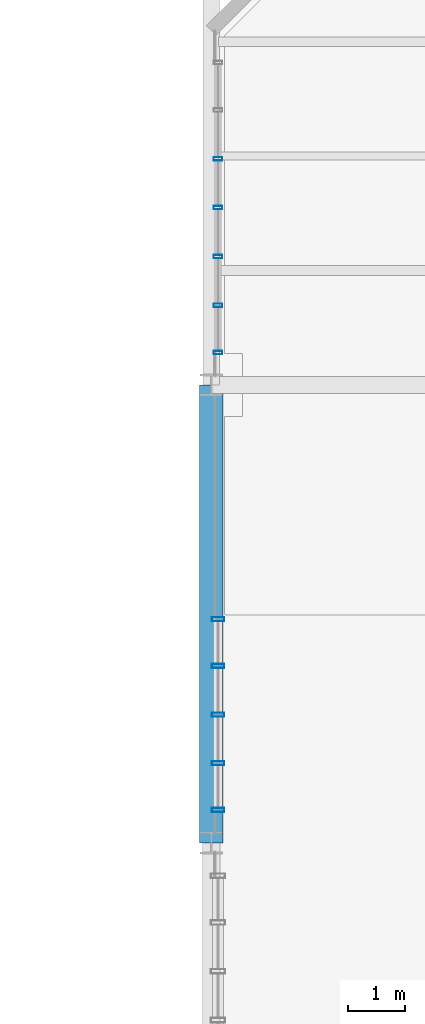
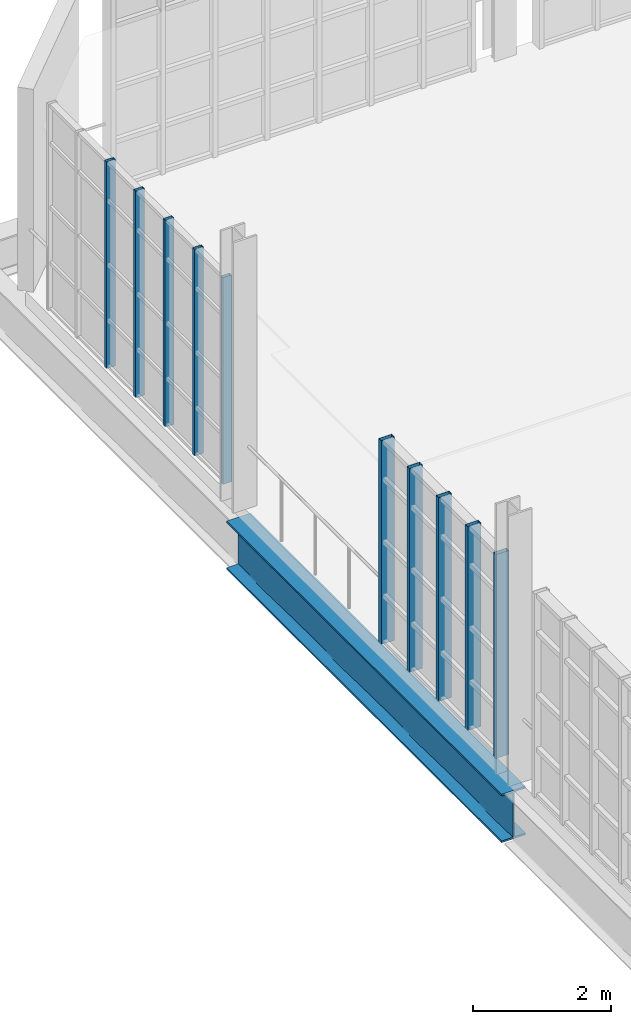
# One storey, part 46 of 85: 10 members, 1 beam, 2 elements without a shape of their own.
"""IFC4 building model written with IfcOpenShell, lengths in metres."""

import ifcopenshell
import ifcopenshell.guid

model = None  # the IFC model being written
_history = None  # IfcOwnerHistory: only IFC2X3 demands one
_inside = {}  # id of a spatial element -> (the spatial element, [elements in it])
_under = {}  # id of a project, library or spatial element -> (it, [spatial elements below it])
_declared = {}  # id of a project -> (the project, [libraries it declares])
_typed = {}  # id of a type object -> (the type object, [elements of that type])
_made_of = {}  # id of a material, layer set ... -> (it, [elements and type objects made of it])


def new_model(schema):
    """Start an empty IFC model of exactly this schema.

    Asked for "IFC4X3", IfcOpenShell would pick the latest addendum, in which some entities
    have other attributes; the version numbers below select the first issue.
    IFC2X3 requires an IfcOwnerHistory on every rooted entity: one is made here for all.
    """
    global model, _history
    if schema == "IFC4X3":
        model = ifcopenshell.file(schema_version=(4, 3, 0, 0))
    else:
        model = ifcopenshell.file(schema=schema)
    _inside.clear()
    _under.clear()
    _declared.clear()
    _typed.clear()
    _made_of.clear()
    _history = None
    if model.schema == "IFC2X3":
        org = make("IfcOrganization", Name="unknown")
        user = make(
            "IfcPersonAndOrganization",
            ThePerson=make("IfcPerson", FamilyName="unknown"),
            TheOrganization=org,
        )
        app = make(
            "IfcApplication",
            ApplicationDeveloper=org,
            Version="unknown",
            ApplicationFullName="unknown",
            ApplicationIdentifier="unknown",
        )
        _history = make(
            "IfcOwnerHistory",
            OwningUser=user,
            OwningApplication=app,
            ChangeAction="ADDED",
            CreationDate=0,
        )
    return model


def make(cls, **values):
    """One entity of the class cls with the attributes given. An attribute that is None is left unset."""
    return model.create_entity(
        cls, **{name: value for name, value in values.items() if value is not None}
    )


def rooted(cls, **values):
    """An entity with a GlobalId (a new one), such as an element, a storey or a relation."""
    return make(cls, GlobalId=ifcopenshell.guid.new(), OwnerHistory=_history, **values)


def si_unit(unit_type, name, prefix=None):
    """IfcSIUnit, for example si_unit("LENGTHUNIT", "METRE", prefix="MILLI")."""
    return make("IfcSIUnit", UnitType=unit_type, Prefix=prefix, Name=name)


def assignment(units):
    """IfcUnitAssignment: the units of a project."""
    return None if units is None else make("IfcUnitAssignment", Units=units)


def point(xyz):
    """IfcCartesianPoint."""
    return None if xyz is None else make("IfcCartesianPoint", Coordinates=xyz)


def direction(xyz):
    """IfcDirection."""
    return None if xyz is None else make("IfcDirection", DirectionRatios=xyz)


def frame(location, z_axis=None, x_axis=None):
    """IfcAxis2Placement3D, a coordinate frame: its origin and axes. An axis left out is left unset."""
    return make(
        "IfcAxis2Placement3D",
        Location=point(location),
        Axis=direction(z_axis),
        RefDirection=direction(x_axis),
    )


def frame_2d(location, x_axis=None):
    """IfcAxis2Placement2D, a coordinate frame in the plane: its origin and x axis."""
    return make(
        "IfcAxis2Placement2D", Location=point(location), RefDirection=direction(x_axis)
    )


def origin():
    """The frame at (0, 0, 0) with its axes left unset."""
    return frame((0.0, 0.0, 0.0))


def origin_2d():
    """The frame at (0, 0) in the plane with its x axis left unset."""
    return frame_2d((0.0, 0.0))


def place(relative_to, where):
    """IfcLocalPlacement: puts the frame where relative to a parent placement (None: the world)."""
    return make(
        "IfcLocalPlacement", PlacementRelTo=relative_to, RelativePlacement=where
    )


def context(
    kind, dimensions, precision=None, world=None, true_north=None, identifier=None
):
    """IfcGeometricRepresentationContext, for example the 3D "Model" context."""
    return make(
        "IfcGeometricRepresentationContext",
        ContextIdentifier=identifier,
        ContextType=kind,
        CoordinateSpaceDimension=dimensions,
        Precision=precision,
        WorldCoordinateSystem=world,
        TrueNorth=true_north,
    )


def subcontext(parent, identifier, kind, view, scale=None):
    """IfcGeometricRepresentationSubContext, for example "Body" below "Model"."""
    return make(
        "IfcGeometricRepresentationSubContext",
        ContextIdentifier=identifier,
        ContextType=kind,
        ParentContext=parent,
        TargetScale=scale,
        TargetView=view,
    )


def project(units=None, contexts=None):
    """IfcProject with its units and contexts."""
    return rooted(
        "IfcProject",
        Name="project",
        RepresentationContexts=contexts,
        UnitsInContext=assignment(units),
    )


def spatial(cls, under=None, at=None, **own):
    """A site, building, storey or space (cls), placed at a placement, below another one or the project."""
    s = rooted(cls, ObjectPlacement=at, **own)
    if under is not None:
        _under.setdefault(under.id(), (under, []))[1].append(s)
    return s


def profile(cls, at=None, kind="AREA", **sizes):
    """A parametric profile (cls). Its sizes go by their IFC names, for example OverallWidth=200.0."""
    return make(cls, ProfileType=kind, Position=at, **sizes)


def hollow_rectangle(**sizes):
    """IfcRectangleHollowProfileDef."""
    return profile("IfcRectangleHollowProfileDef", **sizes)


def i_section(**sizes):
    """IfcIShapeProfileDef."""
    return profile("IfcIShapeProfileDef", **sizes)


def extrude(swept, where, along, depth):
    """IfcExtrudedAreaSolid: the profile swept, set in the frame where, extruded along a direction by depth."""
    return make(
        "IfcExtrudedAreaSolid",
        SweptArea=swept,
        Position=where,
        ExtrudedDirection=direction(along),
        Depth=depth,
    )


def shape(context_of_items, identifier, shape_type, items):
    """IfcShapeRepresentation: the items that make up one representation, for example the "Body"."""
    return make(
        "IfcShapeRepresentation",
        ContextOfItems=context_of_items,
        RepresentationIdentifier=identifier,
        RepresentationType=shape_type,
        Items=items,
    )


def material(Name=None, Category=None):
    """IfcMaterial."""
    return make("IfcMaterial", Name=Name, Category=Category)


def layer(
    of_material, thickness, ventilated=None, Name=None, Category=None, Priority=None
):
    """IfcMaterialLayer: one layer of a wall or slab, of a material (None: an air gap)."""
    return make(
        "IfcMaterialLayer",
        Material=of_material,
        LayerThickness=thickness,
        IsVentilated=ventilated,
        Name=Name,
        Category=Category,
        Priority=Priority,
    )


def layer_set(layers, Name=None):
    """IfcMaterialLayerSet."""
    return make("IfcMaterialLayerSet", MaterialLayers=layers, LayerSetName=Name)


def material_profile(
    of_material, cross_section, Name=None, Category=None, Priority=None
):
    """IfcMaterialProfile: a cross section and its material."""
    return make(
        "IfcMaterialProfile",
        Name=Name,
        Material=of_material,
        Profile=cross_section,
        Priority=Priority,
        Category=Category,
    )


def profile_set(profiles, Name=None, composite=None):
    """IfcMaterialProfileSet."""
    return make(
        "IfcMaterialProfileSet",
        Name=Name,
        MaterialProfiles=profiles,
        CompositeProfile=composite,
    )


def made_of(thing, what):
    """Note that an element or type object is made of a material, layer set ...; save() writes the relation."""
    if what is not None:
        _made_of.setdefault(what.id(), (what, []))[1].append(thing)
    return thing


def type_object(cls, material=None, **own):
    """A type object (cls), such as IfcWallType, which elements share."""
    return made_of(rooted(cls, **own), material)


def element(
    cls,
    number,
    at=None,
    inside=None,
    cuts=None,
    type_object=None,
    material=None,
    context=None,
    identifier="Body",
    shape_type=None,
    held_by="IfcProductDefinitionShape",
    body=None,
    shapes=None,
    **own,
):
    """One element of the class cls, such as IfcWall. Its Tag is "e" and its number.

    at: its placement. inside: the storey or other place that contains it. cuts: it is an
    opening in that element (IfcRelVoidsElement). A single representation is given by context,
    identifier, shape_type and body (its items); several are given by shapes. held_by: the class
    of the entity that holds the representations. save() writes the other relations.
    """
    e = rooted(cls, Tag="e%d" % number, ObjectPlacement=at, **own)
    if body is not None:
        shapes = [shape(context, identifier, shape_type, body)]
    if shapes is not None:
        e.Representation = make(held_by, Representations=shapes)
    if inside is not None:
        _inside.setdefault(inside.id(), (inside, []))[1].append(e)
    if cuts is not None:
        rooted(
            "IfcRelVoidsElement", RelatingBuildingElement=cuts, RelatedOpeningElement=e
        )
    if type_object is not None:
        _typed.setdefault(type_object.id(), (type_object, []))[1].append(e)
    return made_of(e, material)


def aggregate(whole, parts):
    """IfcRelAggregates: a whole, such as a stair, and the parts it consists of."""
    return rooted("IfcRelAggregates", RelatingObject=whole, RelatedObjects=parts)


def save(model, path):
    """Write the relations noted so far, then the file.

    IfcRelAggregates (storeys below a building ...), IfcRelContainedInSpatialStructure (elements
    in a storey), IfcRelDefinesByType, IfcRelAssociatesMaterial and IfcRelDeclares: one each for
    every whole, place, type object, material and project.
    """
    for whole, parts in _under.values():
        aggregate(whole, parts)
    for where, things in _inside.values():
        rooted(
            "IfcRelContainedInSpatialStructure",
            RelatedElements=things,
            RelatingStructure=where,
        )
    for kind, things in _typed.values():
        rooted("IfcRelDefinesByType", RelatedObjects=things, RelatingType=kind)
    for what, things in _made_of.values():
        rooted("IfcRelAssociatesMaterial", RelatedObjects=things, RelatingMaterial=what)
    for by, libraries in _declared.values():
        rooted("IfcRelDeclares", RelatingContext=by, RelatedDefinitions=libraries)
    model.write(path)


model = new_model("IFC4")

# Units and contexts
model_context = context("Model", 3, precision=1e-05, world=origin(), true_north=direction((0.0, 1.0)))
body_context = subcontext(model_context, "Body", "Model", "MODEL_VIEW")
ifc_project = project(units=[si_unit("LENGTHUNIT", "METRE"), si_unit("AREAUNIT", "SQUARE_METRE"), si_unit("VOLUMEUNIT", "CUBIC_METRE"), si_unit("PLANEANGLEUNIT", "RADIAN"), si_unit("MASSUNIT", "GRAM", prefix="KILO"), si_unit("THERMODYNAMICTEMPERATUREUNIT", "KELVIN"), si_unit("POWERUNIT", "WATT")], contexts=[model_context])

# Site, building, storey
site_placement = place(None, origin())
site = spatial("IfcSite", under=ifc_project, at=site_placement, CompositionType="ELEMENT")
building_placement = place(site_placement, origin())
building = spatial("IfcBuilding", under=site, at=building_placement, Name="Zelmaris Science Centre", CompositionType="ELEMENT")
storey_placement = place(building_placement, frame((0.0, 0.0, 20.39990234375)))
storey = spatial("IfcBuildingStorey", under=building, at=storey_placement, Name="L04", CompositionType="ELEMENT", Elevation=20.39990234375)

# Curtain wall, members
ifc_material_1 = material(Name="Anodised architectural aluminium 6063-T6", Category="aluminium")
ifc_layer_1 = layer(ifc_material_1, 0.219970703125, Name="Anodised architectural aluminium 6063-T6")
ifc_layer_set_1 = layer_set([ifc_layer_1], Name="Anodised architectural aluminium 6063-T6")
curtain_wall_type_1 = type_object("IfcCurtainWallType", Name="Curtain Wall CW-04", PredefinedType="USERDEFINED", material=ifc_layer_set_1)
curtain_wall_1_placement = place(storey_placement, origin())
curtain_wall_1 = element("IfcCurtainWall", 1, at=curtain_wall_1_placement, inside=storey, type_object=curtain_wall_type_1, Name="L04 Unitised curtain wall 340", ObjectType="GLAZED CURTAIN WALL", PredefinedType="USERDEFINED")
ifc_material_profile_1 = material_profile(ifc_material_1, hollow_rectangle(XDim=0.06005859375, YDim=0.14990234375, WallThickness=0.00341796875, at=origin_2d()), Name="ALU-MUL-60X150")
ifc_profile_set_1 = profile_set([ifc_material_profile_1], Name="Anodised architectural aluminium 6063-T6")
member_type_1 = type_object("IfcMemberType", Name="ALU-MUL-60X150", PredefinedType="MULLION", material=ifc_profile_set_1)
member_1_placement = place(storey_placement, frame((54.1201171875, 80.56591796875, -0.014892578125), z_axis=(0.0, 0.0, 1.0), x_axis=(0.0, 1.0, 0.0)))
member_1 = element("IfcMember", 2, at=member_1_placement, type_object=member_type_1, Name="CW-04 mullion 1", PredefinedType="MULLION", context=body_context, shape_type="SweptSolid", body=[
    extrude(hollow_rectangle(XDim=0.06005859375, YDim=0.14990234375, WallThickness=0.00341796875, at=origin_2d()), origin(), (0.0, 0.0, 1.0), 3.6689453125),
])
member_2_placement = place(storey_placement, frame((54.1201171875, 81.393310546875, -0.014892578125), z_axis=(0.0, 0.0, 1.0), x_axis=(0.0, 1.0, 0.0)))
member_2 = element("IfcMember", 3, at=member_2_placement, type_object=member_type_1, Name="CW-04 mullion 2", PredefinedType="MULLION", context=body_context, shape_type="SweptSolid", body=[
    extrude(hollow_rectangle(XDim=0.06005859375, YDim=0.14990234375, WallThickness=0.00341796875, at=origin_2d()), origin(), (0.0, 0.0, 1.0), 3.6689453125),
])
member_3_placement = place(storey_placement, frame((54.1201171875, 82.24658203125, -0.014892578125), z_axis=(0.0, 0.0, 1.0), x_axis=(0.0, 1.0, 0.0)))
member_3 = element("IfcMember", 4, at=member_3_placement, type_object=member_type_1, Name="CW-04 mullion 3", PredefinedType="MULLION", context=body_context, shape_type="SweptSolid", body=[
    extrude(hollow_rectangle(XDim=0.06005859375, YDim=0.14990234375, WallThickness=0.00341796875, at=origin_2d()), origin(), (0.0, 0.0, 1.0), 3.6689453125),
])
member_4_placement = place(storey_placement, frame((54.1201171875, 83.10009765625, -0.014892578125), z_axis=(0.0, 0.0, 1.0), x_axis=(0.0, 1.0, 0.0)))
member_4 = element("IfcMember", 5, at=member_4_placement, type_object=member_type_1, Name="CW-04 mullion 4", PredefinedType="MULLION", context=body_context, shape_type="SweptSolid", body=[
    extrude(hollow_rectangle(XDim=0.06005859375, YDim=0.14990234375, WallThickness=0.00341796875, at=origin_2d()), origin(), (0.0, 0.0, 1.0), 3.6689453125),
])
member_5_placement = place(storey_placement, frame((54.1201171875, 83.953369140625, -0.014892578125), z_axis=(0.0, 0.0, 1.0), x_axis=(0.0, 1.0, 0.0)))
member_5 = element("IfcMember", 6, at=member_5_placement, type_object=member_type_1, Name="CW-04 mullion 5", PredefinedType="MULLION", context=body_context, shape_type="SweptSolid", body=[
    extrude(hollow_rectangle(XDim=0.06005859375, YDim=0.14990234375, WallThickness=0.00341796875, at=origin_2d()), origin(), (0.0, 0.0, 1.0), 3.6689453125),
])
aggregate(curtain_wall_1, [member_1, member_2, member_3, member_4, member_5])

ifc_layer_2 = layer(ifc_material_1, 0.199951171875, Name="Anodised architectural aluminium 6063-T6")
ifc_layer_set_2 = layer_set([ifc_layer_2], Name="Anodised architectural aluminium 6063-T6")
curtain_wall_type_2 = type_object("IfcCurtainWallType", Name="Curtain Wall CW-02", PredefinedType="USERDEFINED", material=ifc_layer_set_2)
curtain_wall_2_placement = place(storey_placement, origin())
curtain_wall_2 = element("IfcCurtainWall", 7, at=curtain_wall_2_placement, inside=storey, type_object=curtain_wall_type_2, Name="L04 Unitised curtain wall 338", ObjectType="GLAZED CURTAIN WALL", PredefinedType="USERDEFINED")
ifc_material_profile_2 = material_profile(ifc_material_1, hollow_rectangle(XDim=0.074951171875, YDim=0.219970703125, WallThickness=0.0048828125, at=origin_2d()), Name="ALU-MUL-75X220")
ifc_profile_set_2 = profile_set([ifc_material_profile_2], Name="Anodised architectural aluminium 6063-T6")
member_type_2 = type_object("IfcMemberType", Name="ALU-MUL-75X220", PredefinedType="MULLION", material=ifc_profile_set_2)
member_6_placement = place(storey_placement, frame((54.1201171875, 72.573486328125, -0.014892578125), z_axis=(0.0, 0.0, 1.0), x_axis=(0.0, 1.0, 0.0)))
member_6 = element("IfcMember", 8, at=member_6_placement, type_object=member_type_2, Name="CW-02 mullion 1", PredefinedType="MULLION", context=body_context, shape_type="SweptSolid", body=[
    extrude(hollow_rectangle(XDim=0.074951171875, YDim=0.219970703125, WallThickness=0.0048828125, at=origin_2d()), origin(), (0.0, 0.0, 1.0), 3.617919921875),
])
member_7_placement = place(storey_placement, frame((54.1201171875, 73.389892578125, -0.014892578125), z_axis=(0.0, 0.0, 1.0), x_axis=(0.0, 1.0, 0.0)))
member_7 = element("IfcMember", 9, at=member_7_placement, type_object=member_type_2, Name="CW-02 mullion 2", PredefinedType="MULLION", context=body_context, shape_type="SweptSolid", body=[
    extrude(hollow_rectangle(XDim=0.074951171875, YDim=0.219970703125, WallThickness=0.0048828125, at=origin_2d()), origin(), (0.0, 0.0, 1.0), 3.617919921875),
])
member_8_placement = place(storey_placement, frame((54.1201171875, 74.239990234375, -0.014892578125), z_axis=(0.0, 0.0, 1.0), x_axis=(0.0, 1.0, 0.0)))
member_8 = element("IfcMember", 10, at=member_8_placement, type_object=member_type_2, Name="CW-02 mullion 3", PredefinedType="MULLION", context=body_context, shape_type="SweptSolid", body=[
    extrude(hollow_rectangle(XDim=0.074951171875, YDim=0.219970703125, WallThickness=0.0048828125, at=origin_2d()), origin(), (0.0, 0.0, 1.0), 3.617919921875),
])
member_9_placement = place(storey_placement, frame((54.1201171875, 75.090087890625, -0.014892578125), z_axis=(0.0, 0.0, 1.0), x_axis=(0.0, 1.0, 0.0)))
member_9 = element("IfcMember", 11, at=member_9_placement, type_object=member_type_2, Name="CW-02 mullion 4", PredefinedType="MULLION", context=body_context, shape_type="SweptSolid", body=[
    extrude(hollow_rectangle(XDim=0.074951171875, YDim=0.219970703125, WallThickness=0.0048828125, at=origin_2d()), origin(), (0.0, 0.0, 1.0), 3.617919921875),
])
member_10_placement = place(storey_placement, frame((54.1201171875, 75.906494140625, -0.014892578125), z_axis=(0.0, 0.0, 1.0), x_axis=(0.0, 1.0, 0.0)))
member_10 = element("IfcMember", 12, at=member_10_placement, type_object=member_type_2, Name="CW-02 mullion 5", PredefinedType="MULLION", context=body_context, shape_type="SweptSolid", body=[
    extrude(hollow_rectangle(XDim=0.074951171875, YDim=0.219970703125, WallThickness=0.0048828125, at=origin_2d()), origin(), (0.0, 0.0, 1.0), 3.617919921875),
])
aggregate(curtain_wall_2, [member_6, member_7, member_8, member_9, member_10])

# Beam
ifc_material_2 = material(Name="Steel ASTM A992 Grade 50", Category="steel")
ifc_material_profile_3 = material_profile(ifc_material_2, i_section(OverallWidth=0.404052734375, OverallDepth=0.861083984375, WebThickness=0.019775390625, FlangeThickness=0.032470703125, FilletRadius=0.02001953125, at=origin_2d()), Name="W33X221")
ifc_profile_set_3 = profile_set([ifc_material_profile_3], Name="Steel ASTM A992 Grade 50")
beam_type = type_object("IfcBeamType", Name="Beam G-28 W33X221", PredefinedType="BEAM", material=ifc_profile_set_3)
beam_placement = place(storey_placement, frame((54.0, 72.0, -0.680419921875), z_axis=(0.0, 1.0, 0.0), x_axis=(-1.0, 0.0, 0.0)))
element("IfcBeam", 13, at=beam_placement, inside=storey, type_object=beam_type, Name="L04 North-south girder 823", PredefinedType="BEAM", context=body_context, shape_type="SweptSolid", body=[
    extrude(i_section(OverallWidth=0.404052734375, OverallDepth=0.861083984375, WebThickness=0.019775390625, FlangeThickness=0.032470703125, FilletRadius=0.02001953125, at=origin_2d()), origin(), (0.0, 0.0, 1.0), 8.0),
])

save(model, "model.ifc")
